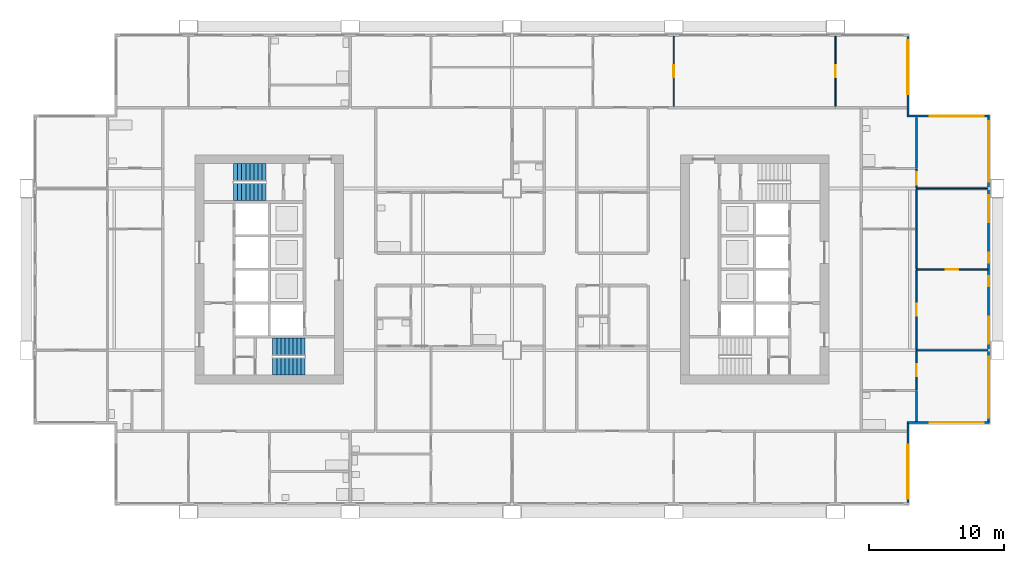
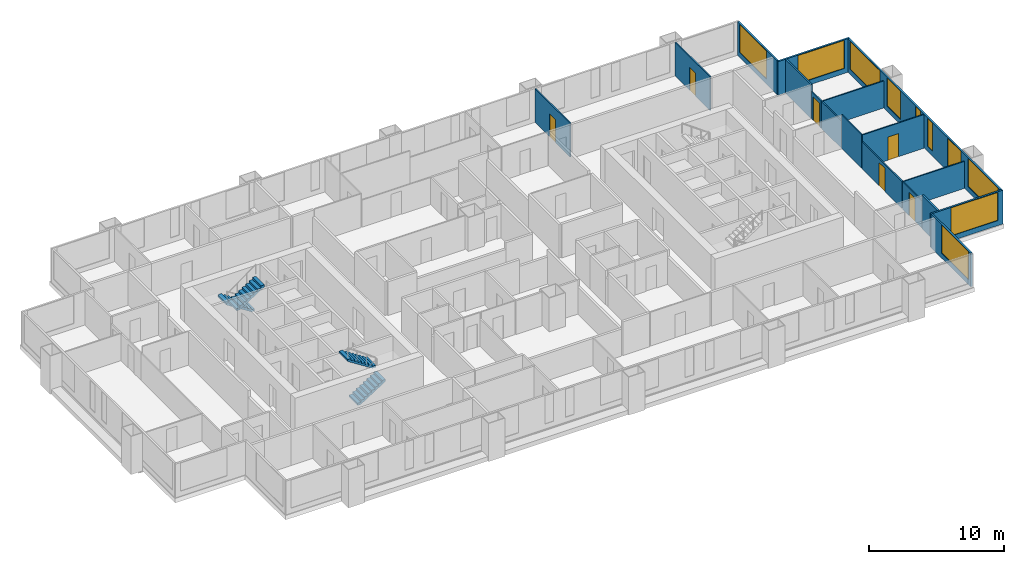
# One storey, part 9 of 13: 17 walls, 10 windows, 6 doors, 4 stair flights, 16 openings, 2 elements without a shape of their own.
"""IFC4 building model written with IfcOpenShell, lengths in metres."""

from ifc_helpers import new_model, si_unit, direction, frame, frame_2d, origin, place, context, subcontext, project, spatial, polyline, rectangle, outline, extrude, material, layer, layer_set, type_object, element, fill, aggregate, save


model = new_model("IFC4")

# Units and contexts
model_context = context("Model", 3, precision=1e-05, world=origin(), true_north=direction((0.0, 1.0)))
body_context = subcontext(model_context, "Body", "Model", "MODEL_VIEW")
ifc_project = project(units=[si_unit("LENGTHUNIT", "METRE"), si_unit("AREAUNIT", "SQUARE_METRE"), si_unit("VOLUMEUNIT", "CUBIC_METRE"), si_unit("PLANEANGLEUNIT", "RADIAN"), si_unit("MASSUNIT", "GRAM", prefix="KILO")], contexts=[model_context])

# Site, building, storey
site_placement = place(None, origin())
site = spatial("IfcSite", under=ifc_project, at=site_placement, CompositionType="ELEMENT")
building_placement = place(site_placement, origin())
building = spatial("IfcBuilding", under=site, at=building_placement, Name="Kitamizu Gate Tower and Museum", CompositionType="ELEMENT")
storey_placement = place(building_placement, frame((0.0, 0.0, 144.89990234375)))
storey = spatial("IfcBuildingStorey", under=building, at=storey_placement, Name="L38", CompositionType="ELEMENT", Elevation=144.89990234375)

# Wall
ifc_material_1 = material(Name="Gypsum board on galvanised stud")
ifc_layer_1 = layer(ifc_material_1, 0.10009765625)
ifc_layer_set_1 = layer_set([ifc_layer_1], Name="Gypsum board on galvanised stud")
wall_type_1 = type_object("IfcWallType", Name="Partition 100 NOT RATED", PredefinedType="PARTITIONING", material=ifc_layer_set_1)
wall_1_placement = place(storey_placement, frame((71.280029296875, 24.0, 0.0), z_axis=(0.0, 0.0, 1.0), x_axis=(-1.0, 0.0, 0.0)))
element("IfcWall", 1, at=wall_1_placement, inside=storey, type_object=wall_type_1, Name="Partition L38-084", PredefinedType="PARTITIONING", context=body_context, shape_type="SweptSolid", body=[
    extrude(rectangle(XDim=5.280029296875, YDim=0.10009765625, at=frame_2d((2.64013671875, 0.0))), origin(), (0.0, 0.0, 1.0), 2.4501953125),
])

# Wall, opening, door
wall_2_placement = place(storey_placement, frame((66.0, 23.949951171875, 0.0), z_axis=(0.0, 0.0, 1.0), x_axis=(0.0, -1.0, 0.0)))
wall_2 = element("IfcWall", 2, at=wall_2_placement, inside=storey, type_object=wall_type_1, Name="Partition L38-086", PredefinedType="PARTITIONING", context=body_context, shape_type="SweptSolid", body=[
    extrude(rectangle(XDim=2.875, YDim=0.10009765625, at=frame_2d((1.4375, 0.0))), origin(), (0.0, 0.0, 1.0), 2.4501953125),
])
opening_1_placement = place(wall_2_placement, frame((0.987548828125, 0.0, 0.0)))
opening_1 = element("IfcOpeningElement", 3, at=opening_1_placement, cuts=wall_2, Name="Opening L38-032", PredefinedType="OPENING", context=body_context, shape_type="SweptSolid", body=[
    extrude(rectangle(XDim=0.89990234375, YDim=2.10009765625, at=frame_2d((0.449951171875, 1.050048828125))), frame((0.0, 0.06005859375, 0.0), z_axis=(0.0, -1.0, 0.0), x_axis=(1.0, 0.0, 0.0)), (0.0, 0.0, 1.0), 0.1201171875),
])
ifc_material_2 = material(Name="Timber door set", Category="wood")
door_type = type_object("IfcDoorType", Name="Room door 900", OperationType="NOTDEFINED", PredefinedType="DOOR", material=ifc_material_2)
door_1_placement = place(opening_1_placement, origin())
door_1 = element("IfcDoor", 4, at=door_1_placement, inside=storey, type_object=door_type, Name="Door L38-032", OperationType="SINGLE_SWING_RIGHT", OverallHeight=2.10009765625, OverallWidth=0.89990234375, PredefinedType="DOOR", context=body_context, shape_type="SweptSolid", body=[
    extrude(rectangle(XDim=0.89990234375, YDim=2.10009765625, at=frame_2d((0.449951171875, 1.050048828125))), frame((0.0, 0.02490234375, 0.0), z_axis=(0.0, -1.0, 0.0), x_axis=(1.0, 0.0, 0.0)), (0.0, 0.0, 1.0), 0.050048828125),
])
fill(opening_1, door_1)

wall_3_placement = place(storey_placement, frame((71.280029296875, 30.0, 0.0), z_axis=(0.0, 0.0, 1.0), x_axis=(-1.0, 0.0, 0.0)))
wall_3 = element("IfcWall", 5, at=wall_3_placement, inside=storey, type_object=wall_type_1, Name="Partition L38-087", PredefinedType="PARTITIONING", context=body_context, shape_type="SweptSolid", body=[
    extrude(rectangle(XDim=5.280029296875, YDim=0.10009765625, at=frame_2d((2.64013671875, 0.0))), origin(), (0.0, 0.0, 1.0), 3.050048828125),
])
opening_2_placement = place(wall_3_placement, frame((2.18994140625, 0.0, 0.0)))
opening_2 = element("IfcOpeningElement", 6, at=opening_2_placement, cuts=wall_3, Name="Opening L38-035", PredefinedType="OPENING", context=body_context, shape_type="SweptSolid", body=[
    extrude(rectangle(XDim=0.89990234375, YDim=2.10009765625, at=frame_2d((0.449951171875, 1.050048828125))), frame((0.0, 0.06005859375, 0.0), z_axis=(0.0, -1.0, 0.0), x_axis=(1.0, 0.0, 0.0)), (0.0, 0.0, 1.0), 0.1201171875),
])
door_2_placement = place(opening_2_placement, origin())
door_2 = element("IfcDoor", 7, at=door_2_placement, inside=storey, type_object=door_type, Name="Door L38-035", OperationType="SINGLE_SWING_LEFT", OverallHeight=2.10009765625, OverallWidth=0.89990234375, PredefinedType="DOOR", context=body_context, shape_type="SweptSolid", body=[
    extrude(rectangle(XDim=0.89990234375, YDim=2.10009765625, at=frame_2d((0.449951171875, 1.050048828125))), frame((0.0, 0.02490234375, 0.0), z_axis=(0.0, -1.0, 0.0), x_axis=(1.0, 0.0, 0.0)), (0.0, 0.0, 1.0), 0.050048828125),
])
fill(opening_2, door_2)

wall_4_placement = place(storey_placement, frame((66.0, 29.949951171875, 0.0), z_axis=(0.0, 0.0, 1.0), x_axis=(0.0, -1.0, 0.0)))
wall_4 = element("IfcWall", 8, at=wall_4_placement, inside=storey, type_object=wall_type_1, Name="Partition L38-088", PredefinedType="PARTITIONING", context=body_context, shape_type="SweptSolid", body=[
    extrude(rectangle(XDim=5.89990234375, YDim=0.10009765625, at=frame_2d((2.949951171875, 0.0))), origin(), (0.0, 0.0, 1.0), 2.4501953125),
])
opening_3_placement = place(wall_4_placement, frame((2.5, 0.0, 0.0)))
opening_3 = element("IfcOpeningElement", 9, at=opening_3_placement, cuts=wall_4, Name="Opening L38-033", PredefinedType="OPENING", context=body_context, shape_type="SweptSolid", body=[
    extrude(rectangle(XDim=0.89990234375, YDim=2.10009765625, at=frame_2d((0.449951171875, 1.050048828125))), frame((0.0, 0.06005859375, 0.0), z_axis=(0.0, -1.0, 0.0), x_axis=(1.0, 0.0, 0.0)), (0.0, 0.0, 1.0), 0.1201171875),
])
door_3_placement = place(opening_3_placement, origin())
door_3 = element("IfcDoor", 10, at=door_3_placement, inside=storey, type_object=door_type, Name="Door L38-033", OperationType="SINGLE_SWING_LEFT", OverallHeight=2.10009765625, OverallWidth=0.89990234375, PredefinedType="DOOR", context=body_context, shape_type="SweptSolid", body=[
    extrude(rectangle(XDim=0.89990234375, YDim=2.10009765625, at=frame_2d((0.449951171875, 1.050048828125))), frame((0.0, 0.02490234375, 0.0), z_axis=(0.0, -1.0, 0.0), x_axis=(1.0, 0.0, 0.0)), (0.0, 0.0, 1.0), 0.050048828125),
])
fill(opening_3, door_3)

# Walls
wall_5_placement = place(storey_placement, frame((71.280029296875, 36.0, 0.0), z_axis=(0.0, 0.0, 1.0), x_axis=(-1.0, 0.0, 0.0)))
element("IfcWall", 11, at=wall_5_placement, inside=storey, type_object=wall_type_1, Name="Partition L38-089", PredefinedType="PARTITIONING", context=body_context, shape_type="SweptSolid", body=[
    extrude(rectangle(XDim=5.280029296875, YDim=0.10009765625, at=frame_2d((2.64013671875, 0.0))), origin(), (0.0, 0.0, 1.0), 2.4501953125),
])
wall_6_placement = place(storey_placement, frame((66.0, 33.0, 0.0), z_axis=(0.0, 0.0, 1.0), x_axis=(0.0, -1.0, 0.0)))
element("IfcWall", 12, at=wall_6_placement, inside=storey, type_object=wall_type_1, Name="Partition L38-090", PredefinedType="PARTITIONING", context=body_context, shape_type="SweptSolid", body=[
    extrude(rectangle(XDim=2.949951171875, YDim=0.10009765625, at=frame_2d((1.47509765625, 0.0))), origin(), (0.0, 0.0, 1.0), 3.050048828125),
])
wall_7_placement = place(storey_placement, frame((66.0, 35.949951171875, 0.0), z_axis=(0.0, 0.0, 1.0), x_axis=(0.0, -1.0, 0.0)))
element("IfcWall", 13, at=wall_7_placement, inside=storey, type_object=wall_type_1, Name="Partition L38-091", PredefinedType="PARTITIONING", context=body_context, shape_type="SweptSolid", body=[
    extrude(rectangle(XDim=2.949951171875, YDim=0.10009765625, at=frame_2d((1.47509765625, 0.0))), origin(), (0.0, 0.0, 1.0), 2.4501953125),
])

# Wall, opening, door
wall_8_placement = place(storey_placement, frame((66.0, 37.425048828125, 0.0), z_axis=(0.0, 0.0, 1.0), x_axis=(0.0, -1.0, 0.0)))
wall_8 = element("IfcWall", 14, at=wall_8_placement, inside=storey, type_object=wall_type_1, Name="Partition L38-092", PredefinedType="PARTITIONING", context=body_context, shape_type="SweptSolid", body=[
    extrude(rectangle(XDim=1.375, YDim=0.10009765625, at=frame_2d((0.6875, 0.0))), origin(), (0.0, 0.0, 1.0), 2.4501953125),
])
opening_4_placement = place(wall_8_placement, frame((0.237548828125, 0.0, 0.0)))
opening_4 = element("IfcOpeningElement", 15, at=opening_4_placement, cuts=wall_8, Name="Opening L38-036", PredefinedType="OPENING", context=body_context, shape_type="SweptSolid", body=[
    extrude(rectangle(XDim=0.89990234375, YDim=2.10009765625, at=frame_2d((0.449951171875, 1.050048828125))), frame((0.0, 0.06005859375, 0.0), z_axis=(0.0, -1.0, 0.0), x_axis=(1.0, 0.0, 0.0)), (0.0, 0.0, 1.0), 0.1201171875),
])
door_4_placement = place(opening_4_placement, origin())
door_4 = element("IfcDoor", 16, at=door_4_placement, inside=storey, type_object=door_type, Name="Door L38-036", OperationType="SINGLE_SWING_LEFT", OverallHeight=2.10009765625, OverallWidth=0.89990234375, PredefinedType="DOOR", context=body_context, shape_type="SweptSolid", body=[
    extrude(rectangle(XDim=0.89990234375, YDim=2.10009765625, at=frame_2d((0.449951171875, 1.050048828125))), frame((0.0, 0.02490234375, 0.0), z_axis=(0.0, -1.0, 0.0), x_axis=(1.0, 0.0, 0.0)), (0.0, 0.0, 1.0), 0.050048828125),
])
fill(opening_4, door_4)

wall_9_placement = place(storey_placement, frame((48.0, 42.10009765625, 0.0), z_axis=(0.0, 0.0, 1.0), x_axis=(0.0, 1.0, 0.0)))
wall_9 = element("IfcWall", 17, at=wall_9_placement, inside=storey, type_object=wall_type_1, Name="Partition L38-125", PredefinedType="PARTITIONING", context=body_context, shape_type="SweptSolid", body=[
    extrude(rectangle(XDim=5.179931640625, YDim=0.10009765625, at=frame_2d((2.58984375, 0.0))), origin(), (0.0, 0.0, 1.0), 3.050048828125),
])
opening_5_placement = place(wall_9_placement, frame((2.139892578125, 0.0, 0.0)))
opening_5 = element("IfcOpeningElement", 18, at=opening_5_placement, cuts=wall_9, Name="Opening L38-043", PredefinedType="OPENING", context=body_context, shape_type="SweptSolid", body=[
    extrude(rectangle(XDim=0.89990234375, YDim=2.10009765625, at=frame_2d((0.449951171875, 1.050048828125))), frame((0.0, 0.06005859375, 0.0), z_axis=(0.0, -1.0, 0.0), x_axis=(1.0, 0.0, 0.0)), (0.0, 0.0, 1.0), 0.1201171875),
])
door_5_placement = place(opening_5_placement, frame((0.89990234375, 0.0, 0.0), x_axis=(-1.0, 0.0, 0.0)))
door_5 = element("IfcDoor", 19, at=door_5_placement, inside=storey, type_object=door_type, Name="Door L38-043", OperationType="SINGLE_SWING_RIGHT", OverallHeight=2.10009765625, OverallWidth=0.89990234375, PredefinedType="DOOR", context=body_context, shape_type="SweptSolid", body=[
    extrude(rectangle(XDim=0.89990234375, YDim=2.10009765625, at=frame_2d((0.449951171875, 1.050048828125))), frame((0.0, 0.02490234375, 0.0), z_axis=(0.0, -1.0, 0.0), x_axis=(1.0, 0.0, 0.0)), (0.0, 0.0, 1.0), 0.050048828125),
])
fill(opening_5, door_5)

wall_10_placement = place(storey_placement, frame((60.0, 42.10009765625, 0.0), z_axis=(0.0, 0.0, 1.0), x_axis=(0.0, 1.0, 0.0)))
wall_10 = element("IfcWall", 20, at=wall_10_placement, inside=storey, type_object=wall_type_1, Name="Partition L38-128", PredefinedType="PARTITIONING", context=body_context, shape_type="SweptSolid", body=[
    extrude(rectangle(XDim=5.179931640625, YDim=0.10009765625, at=frame_2d((2.58984375, 0.0))), origin(), (0.0, 0.0, 1.0), 3.050048828125),
])
opening_6_placement = place(wall_10_placement, frame((2.139892578125, 0.0, 0.0)))
opening_6 = element("IfcOpeningElement", 21, at=opening_6_placement, cuts=wall_10, Name="Opening L38-046", PredefinedType="OPENING", context=body_context, shape_type="SweptSolid", body=[
    extrude(rectangle(XDim=0.89990234375, YDim=2.10009765625, at=frame_2d((0.449951171875, 1.050048828125))), frame((0.0, 0.06005859375, 0.0), z_axis=(0.0, -1.0, 0.0), x_axis=(1.0, 0.0, 0.0)), (0.0, 0.0, 1.0), 0.1201171875),
])
door_6_placement = place(opening_6_placement, frame((0.89990234375, 0.0, 0.0), x_axis=(-1.0, 0.0, 0.0)))
door_6 = element("IfcDoor", 22, at=door_6_placement, inside=storey, type_object=door_type, Name="Door L38-046", OperationType="SINGLE_SWING_LEFT", OverallHeight=2.10009765625, OverallWidth=0.89990234375, PredefinedType="DOOR", context=body_context, shape_type="SweptSolid", body=[
    extrude(rectangle(XDim=0.89990234375, YDim=2.10009765625, at=frame_2d((0.449951171875, 1.050048828125))), frame((0.0, 0.02490234375, 0.0), z_axis=(0.0, -1.0, 0.0), x_axis=(1.0, 0.0, 0.0)), (0.0, 0.0, 1.0), 0.050048828125),
])
fill(opening_6, door_6)

# Walls
ifc_material_3 = material(Name="Gypsum board on galvanised stud")
ifc_layer_2 = layer(ifc_material_3, 0.14990234375)
ifc_layer_set_2 = layer_set([ifc_layer_2], Name="Gypsum board on galvanised stud")
wall_type_2 = type_object("IfcWallType", Name="Partition 150", PredefinedType="PARTITIONING", material=ifc_layer_set_2)
wall_11_placement = place(storey_placement, frame((66.0, 21.0, 0.0), z_axis=(0.0, 0.0, 1.0), x_axis=(0.0, -1.0, 0.0)))
element("IfcWall", 23, at=wall_11_placement, inside=storey, type_object=wall_type_2, Name="Partition L38-085", PredefinedType="PARTITIONING", context=body_context, shape_type="SweptSolid", body=[
    extrude(rectangle(XDim=2.280029296875, YDim=0.14990234375, at=frame_2d((1.14013671875, 0.0))), origin(), (0.0, 0.0, 1.0), 3.050048828125),
])
wall_12_placement = place(storey_placement, frame((66.0, 41.280029296875, 0.0), z_axis=(0.0, 0.0, 1.0), x_axis=(0.0, -1.0, 0.0)))
element("IfcWall", 24, at=wall_12_placement, inside=storey, type_object=wall_type_2, Name="Partition L38-093", PredefinedType="PARTITIONING", context=body_context, shape_type="SweptSolid", body=[
    extrude(rectangle(XDim=3.780029296875, YDim=0.14990234375, at=frame_2d((1.89013671875, 0.0))), origin(), (0.0, 0.0, 1.0), 3.050048828125),
])

# Wall, opening, window
ifc_material_4 = material(Name="Bronze anodised aluminium frame with insulated spandrel and tinted glass", Category="aluminium")
ifc_layer_3 = layer(ifc_material_4, 0.14990234375)
ifc_layer_set_3 = layer_set([ifc_layer_3], Name="Bronze anodised aluminium frame with insulated spandrel and tinted glass")
wall_type_3 = type_object("IfcWallType", Name="WINDOW WALL 150 BRONZE FRAME EI 30", PredefinedType="ELEMENTEDWALL", material=ifc_layer_set_3)
wall_13_placement = place(storey_placement, frame((65.364990234375, 12.7099609375, 0.0), z_axis=(0.0, 0.0, 1.0), x_axis=(0.0, 1.0, 0.0)))
wall_13 = element("IfcWall", 25, at=wall_13_placement, inside=storey, type_object=wall_type_3, Name="Window wall east L38", PredefinedType="ELEMENTEDWALL", context=body_context, shape_type="SweptSolid", body=[
    extrude(rectangle(XDim=5.85009765625, YDim=0.14990234375, at=frame_2d((2.925048828125, 0.0))), origin(), (0.0, 0.0, 1.0), 3.050048828125),
])
opening_7_placement = place(wall_13_placement, frame((0.2900390625, 0.0, 0.449951171875)))
opening_7 = element("IfcOpeningElement", 26, at=opening_7_placement, cuts=wall_13, Name="Opening W16", PredefinedType="OPENING", context=body_context, shape_type="SweptSolid", body=[
    extrude(rectangle(XDim=4.0, YDim=2.550048828125, at=frame_2d((2.0, 1.27490234375))), frame((0.0, 0.0849609375, 0.0), z_axis=(0.0, -1.0, 0.0), x_axis=(1.0, 0.0, 0.0)), (0.0, 0.0, 1.0), 0.169921875),
])
ifc_material_5 = material(Name="Bronze anodised aluminium frame, tinted triple glazing", Category="aluminium")
window_type_1 = type_object("IfcWindowType", Name="WINDOW 4000 x 2550 SILL 450", PartitioningType="SINGLE_PANEL", PredefinedType="WINDOW", material=ifc_material_5)
window_1_placement = place(opening_7_placement, origin())
window_1 = element("IfcWindow", 27, at=window_1_placement, inside=storey, type_object=window_type_1, Name="Window W16 L38", OverallHeight=2.550048828125, OverallWidth=4.0, PartitioningType="SINGLE_PANEL", PredefinedType="WINDOW", context=body_context, shape_type="SweptSolid", body=[
    extrude(rectangle(XDim=4.0, YDim=2.550048828125, at=frame_2d((2.0, 1.27490234375))), frame((0.0, 0.030029296875, 0.0), z_axis=(0.0, -1.0, 0.0), x_axis=(1.0, 0.0, 0.0)), (0.0, 0.0, 1.0), 0.06005859375),
])
fill(opening_7, window_1)

wall_14_placement = place(storey_placement, frame((65.2900390625, 18.635009765625, 0.0), z_axis=(0.0, 0.0, 1.0), x_axis=(1.0, 0.0, 0.0)))
wall_14 = element("IfcWall", 28, at=wall_14_placement, inside=storey, type_object=wall_type_3, Name="Window wall south L38", PredefinedType="ELEMENTEDWALL", context=body_context, shape_type="SweptSolid", body=[
    extrude(rectangle(XDim=6.14990234375, YDim=0.14990234375, at=frame_2d((3.074951171875, 0.0))), origin(), (0.0, 0.0, 1.0), 3.050048828125),
])
opening_8_placement = place(wall_14_placement, frame((1.7099609375, 0.0, 0.449951171875)))
opening_8 = element("IfcOpeningElement", 29, at=opening_8_placement, cuts=wall_14, Name="Opening W16", PredefinedType="OPENING", context=body_context, shape_type="SweptSolid", body=[
    extrude(rectangle(XDim=4.0, YDim=2.550048828125, at=frame_2d((2.0, 1.27490234375))), frame((0.0, 0.0849609375, 0.0), z_axis=(0.0, -1.0, 0.0), x_axis=(1.0, 0.0, 0.0)), (0.0, 0.0, 1.0), 0.169921875),
])
window_2_placement = place(opening_8_placement, origin())
window_2 = element("IfcWindow", 30, at=window_2_placement, inside=storey, type_object=window_type_1, Name="Window W16 L38", OverallHeight=2.550048828125, OverallWidth=4.0, PartitioningType="SINGLE_PANEL", PredefinedType="WINDOW", context=body_context, shape_type="SweptSolid", body=[
    extrude(rectangle(XDim=4.0, YDim=2.550048828125, at=frame_2d((2.0, 1.27490234375))), frame((0.0, 0.030029296875, 0.0), z_axis=(0.0, -1.0, 0.0), x_axis=(1.0, 0.0, 0.0)), (0.0, 0.0, 1.0), 0.06005859375),
])
fill(opening_8, window_2)

# Wall, openings, windows
wall_15_placement = place(storey_placement, frame((71.364990234375, 18.7099609375, 0.0), z_axis=(0.0, 0.0, 1.0), x_axis=(0.0, 1.0, 0.0)))
wall_15 = element("IfcWall", 31, at=wall_15_placement, inside=storey, type_object=wall_type_3, Name="Window wall east L38", PredefinedType="ELEMENTEDWALL", context=body_context, shape_type="SweptSolid", body=[
    extrude(rectangle(XDim=22.580078125, YDim=0.14990234375, at=frame_2d((11.2900390625, 0.0))), origin(), (0.0, 0.0, 1.0), 3.050048828125),
])
opening_9_placement = place(wall_15_placement, frame((0.2900390625, 0.0, 0.449951171875)))
opening_9 = element("IfcOpeningElement", 32, at=opening_9_placement, cuts=wall_15, Name="Opening W15", PredefinedType="OPENING", context=body_context, shape_type="SweptSolid", body=[
    extrude(rectangle(XDim=4.5, YDim=2.550048828125, at=frame_2d((2.25, 1.27490234375))), frame((0.0, 0.0849609375, 0.0), z_axis=(0.0, -1.0, 0.0), x_axis=(1.0, 0.0, 0.0)), (0.0, 0.0, 1.0), 0.169921875),
])
opening_10_placement = place(wall_15_placement, frame((5.7900390625, 0.0, 0.449951171875)))
opening_10 = element("IfcOpeningElement", 33, at=opening_10_placement, cuts=wall_15, Name="Opening W2", PredefinedType="OPENING", context=body_context, shape_type="SweptSolid", body=[
    extrude(rectangle(XDim=2.0, YDim=2.550048828125, at=frame_2d((1.0, 1.27490234375))), frame((0.0, 0.0849609375, 0.0), z_axis=(0.0, -1.0, 0.0), x_axis=(1.0, 0.0, 0.0)), (0.0, 0.0, 1.0), 0.169921875),
])
opening_11_placement = place(wall_15_placement, frame((10.0400390625, 0.0, 0.449951171875)))
opening_11 = element("IfcOpeningElement", 34, at=opening_11_placement, cuts=wall_15, Name="Opening W25", PredefinedType="OPENING", context=body_context, shape_type="SweptSolid", body=[
    extrude(rectangle(XDim=0.75, YDim=2.550048828125, at=frame_2d((0.375, 1.27490234375))), frame((0.0, 0.0849609375, 0.0), z_axis=(0.0, -1.0, 0.0), x_axis=(1.0, 0.0, 0.0)), (0.0, 0.0, 1.0), 0.169921875),
])
opening_12_placement = place(wall_15_placement, frame((11.7900390625, 0.0, 0.449951171875)))
opening_12 = element("IfcOpeningElement", 35, at=opening_12_placement, cuts=wall_15, Name="Opening W25", PredefinedType="OPENING", context=body_context, shape_type="SweptSolid", body=[
    extrude(rectangle(XDim=0.75, YDim=2.550048828125, at=frame_2d((0.375, 1.27490234375))), frame((0.0, 0.0849609375, 0.0), z_axis=(0.0, -1.0, 0.0), x_axis=(1.0, 0.0, 0.0)), (0.0, 0.0, 1.0), 0.169921875),
])
opening_13_placement = place(wall_15_placement, frame((14.7900390625, 0.0, 0.449951171875)))
opening_13 = element("IfcOpeningElement", 36, at=opening_13_placement, cuts=wall_15, Name="Opening W2", PredefinedType="OPENING", context=body_context, shape_type="SweptSolid", body=[
    extrude(rectangle(XDim=2.0, YDim=2.550048828125, at=frame_2d((1.0, 1.27490234375))), frame((0.0, 0.0849609375, 0.0), z_axis=(0.0, -1.0, 0.0), x_axis=(1.0, 0.0, 0.0)), (0.0, 0.0, 1.0), 0.169921875),
])
opening_14_placement = place(wall_15_placement, frame((17.7900390625, 0.0, 0.449951171875)))
opening_14 = element("IfcOpeningElement", 37, at=opening_14_placement, cuts=wall_15, Name="Opening W15", PredefinedType="OPENING", context=body_context, shape_type="SweptSolid", body=[
    extrude(rectangle(XDim=4.5, YDim=2.550048828125, at=frame_2d((2.25, 1.27490234375))), frame((0.0, 0.0849609375, 0.0), z_axis=(0.0, -1.0, 0.0), x_axis=(1.0, 0.0, 0.0)), (0.0, 0.0, 1.0), 0.169921875),
])
ifc_material_6 = material(Name="Bronze anodised aluminium frame, tinted triple glazing", Category="aluminium")
window_type_2 = type_object("IfcWindowType", Name="WINDOW 2000 x 2550 SILL 450", PartitioningType="SINGLE_PANEL", PredefinedType="WINDOW", material=ifc_material_6)
window_3_placement = place(opening_10_placement, origin())
window_3 = element("IfcWindow", 38, at=window_3_placement, inside=storey, type_object=window_type_2, Name="Window W2 L38", OverallHeight=2.550048828125, OverallWidth=2.0, PartitioningType="SINGLE_PANEL", PredefinedType="WINDOW", context=body_context, shape_type="SweptSolid", body=[
    extrude(rectangle(XDim=2.0, YDim=2.550048828125, at=frame_2d((1.0, 1.27490234375))), frame((0.0, 0.030029296875, 0.0), z_axis=(0.0, -1.0, 0.0), x_axis=(1.0, 0.0, 0.0)), (0.0, 0.0, 1.0), 0.06005859375),
])
fill(opening_10, window_3)
window_4_placement = place(opening_13_placement, origin())
window_4 = element("IfcWindow", 39, at=window_4_placement, inside=storey, type_object=window_type_2, Name="Window W2 L38", OverallHeight=2.550048828125, OverallWidth=2.0, PartitioningType="SINGLE_PANEL", PredefinedType="WINDOW", context=body_context, shape_type="SweptSolid", body=[
    extrude(rectangle(XDim=2.0, YDim=2.550048828125, at=frame_2d((1.0, 1.27490234375))), frame((0.0, 0.030029296875, 0.0), z_axis=(0.0, -1.0, 0.0), x_axis=(1.0, 0.0, 0.0)), (0.0, 0.0, 1.0), 0.06005859375),
])
fill(opening_13, window_4)
ifc_material_7 = material(Name="Bronze anodised aluminium frame, tinted triple glazing", Category="aluminium")
window_type_3 = type_object("IfcWindowType", Name="WINDOW 4500 x 2550 SILL 450", PartitioningType="SINGLE_PANEL", PredefinedType="WINDOW", material=ifc_material_7)
window_5_placement = place(opening_9_placement, origin())
window_5 = element("IfcWindow", 40, at=window_5_placement, inside=storey, type_object=window_type_3, Name="Window W15 L38", OverallHeight=2.550048828125, OverallWidth=4.5, PartitioningType="SINGLE_PANEL", PredefinedType="WINDOW", context=body_context, shape_type="SweptSolid", body=[
    extrude(rectangle(XDim=4.5, YDim=2.550048828125, at=frame_2d((2.25, 1.27490234375))), frame((0.0, 0.030029296875, 0.0), z_axis=(0.0, -1.0, 0.0), x_axis=(1.0, 0.0, 0.0)), (0.0, 0.0, 1.0), 0.06005859375),
])
fill(opening_9, window_5)
window_6_placement = place(opening_14_placement, origin())
window_6 = element("IfcWindow", 41, at=window_6_placement, inside=storey, type_object=window_type_3, Name="Window W15 L38", OverallHeight=2.550048828125, OverallWidth=4.5, PartitioningType="SINGLE_PANEL", PredefinedType="WINDOW", context=body_context, shape_type="SweptSolid", body=[
    extrude(rectangle(XDim=4.5, YDim=2.550048828125, at=frame_2d((2.25, 1.27490234375))), frame((0.0, 0.030029296875, 0.0), z_axis=(0.0, -1.0, 0.0), x_axis=(1.0, 0.0, 0.0)), (0.0, 0.0, 1.0), 0.06005859375),
])
fill(opening_14, window_6)
ifc_material_8 = material(Name="Bronze anodised aluminium frame, tinted triple glazing", Category="aluminium")
window_type_4 = type_object("IfcWindowType", Name="WINDOW 750 x 2550 SILL 450", PartitioningType="SINGLE_PANEL", PredefinedType="WINDOW", material=ifc_material_8)
window_7_placement = place(opening_11_placement, origin())
window_7 = element("IfcWindow", 42, at=window_7_placement, inside=storey, type_object=window_type_4, Name="Window W25 L38", OverallHeight=2.550048828125, OverallWidth=0.75, PartitioningType="SINGLE_PANEL", PredefinedType="WINDOW", context=body_context, shape_type="SweptSolid", body=[
    extrude(rectangle(XDim=0.75, YDim=2.550048828125, at=frame_2d((0.375, 1.27490234375))), frame((0.0, 0.030029296875, 0.0), z_axis=(0.0, -1.0, 0.0), x_axis=(1.0, 0.0, 0.0)), (0.0, 0.0, 1.0), 0.06005859375),
])
fill(opening_11, window_7)
window_8_placement = place(opening_12_placement, origin())
window_8 = element("IfcWindow", 43, at=window_8_placement, inside=storey, type_object=window_type_4, Name="Window W25 L38", OverallHeight=2.550048828125, OverallWidth=0.75, PartitioningType="SINGLE_PANEL", PredefinedType="WINDOW", context=body_context, shape_type="SweptSolid", body=[
    extrude(rectangle(XDim=0.75, YDim=2.550048828125, at=frame_2d((0.375, 1.27490234375))), frame((0.0, 0.030029296875, 0.0), z_axis=(0.0, -1.0, 0.0), x_axis=(1.0, 0.0, 0.0)), (0.0, 0.0, 1.0), 0.06005859375),
])
fill(opening_12, window_8)

# Wall, opening, window
wall_16_placement = place(storey_placement, frame((65.2900390625, 41.364990234375, 0.0), z_axis=(0.0, 0.0, 1.0), x_axis=(1.0, 0.0, 0.0)))
wall_16 = element("IfcWall", 44, at=wall_16_placement, inside=storey, type_object=wall_type_3, Name="Window wall north L38", PredefinedType="ELEMENTEDWALL", context=body_context, shape_type="SweptSolid", body=[
    extrude(rectangle(XDim=6.14990234375, YDim=0.14990234375, at=frame_2d((3.074951171875, 0.0))), origin(), (0.0, 0.0, 1.0), 3.050048828125),
])
opening_15_placement = place(wall_16_placement, frame((1.7099609375, 0.0, 0.449951171875)))
opening_15 = element("IfcOpeningElement", 45, at=opening_15_placement, cuts=wall_16, Name="Opening W16", PredefinedType="OPENING", context=body_context, shape_type="SweptSolid", body=[
    extrude(rectangle(XDim=4.0, YDim=2.550048828125, at=frame_2d((2.0, 1.27490234375))), frame((0.0, 0.0849609375, 0.0), z_axis=(0.0, -1.0, 0.0), x_axis=(1.0, 0.0, 0.0)), (0.0, 0.0, 1.0), 0.169921875),
])
window_9_placement = place(opening_15_placement, origin())
window_9 = element("IfcWindow", 46, at=window_9_placement, inside=storey, type_object=window_type_1, Name="Window W16 L38", OverallHeight=2.550048828125, OverallWidth=4.0, PartitioningType="SINGLE_PANEL", PredefinedType="WINDOW", context=body_context, shape_type="SweptSolid", body=[
    extrude(rectangle(XDim=4.0, YDim=2.550048828125, at=frame_2d((2.0, 1.27490234375))), frame((0.0, 0.030029296875, 0.0), z_axis=(0.0, -1.0, 0.0), x_axis=(1.0, 0.0, 0.0)), (0.0, 0.0, 1.0), 0.06005859375),
])
fill(opening_15, window_9)

wall_17_placement = place(storey_placement, frame((65.364990234375, 41.43994140625, 0.0), z_axis=(0.0, 0.0, 1.0), x_axis=(0.0, 1.0, 0.0)))
wall_17 = element("IfcWall", 47, at=wall_17_placement, inside=storey, type_object=wall_type_3, Name="Window wall east L38", PredefinedType="ELEMENTEDWALL", context=body_context, shape_type="SweptSolid", body=[
    extrude(rectangle(XDim=5.85009765625, YDim=0.14990234375, at=frame_2d((2.925048828125, 0.0))), origin(), (0.0, 0.0, 1.0), 3.050048828125),
])
opening_16_placement = place(wall_17_placement, frame((1.56005859375, 0.0, 0.449951171875)))
opening_16 = element("IfcOpeningElement", 48, at=opening_16_placement, cuts=wall_17, Name="Opening W16", PredefinedType="OPENING", context=body_context, shape_type="SweptSolid", body=[
    extrude(rectangle(XDim=4.0, YDim=2.550048828125, at=frame_2d((2.0, 1.27490234375))), frame((0.0, 0.0849609375, 0.0), z_axis=(0.0, -1.0, 0.0), x_axis=(1.0, 0.0, 0.0)), (0.0, 0.0, 1.0), 0.169921875),
])
window_10_placement = place(opening_16_placement, origin())
window_10 = element("IfcWindow", 49, at=window_10_placement, inside=storey, type_object=window_type_1, Name="Window W16 L38", OverallHeight=2.550048828125, OverallWidth=4.0, PartitioningType="SINGLE_PANEL", PredefinedType="WINDOW", context=body_context, shape_type="SweptSolid", body=[
    extrude(rectangle(XDim=4.0, YDim=2.550048828125, at=frame_2d((2.0, 1.27490234375))), frame((0.0, 0.030029296875, 0.0), z_axis=(0.0, -1.0, 0.0), x_axis=(1.0, 0.0, 0.0)), (0.0, 0.0, 1.0), 0.06005859375),
])
fill(opening_16, window_10)

# Stair, stair flights
ifc_material_9 = material(Name="Concrete Fc42", Category="concrete")
stair_type = type_object("IfcStairType", Name="Exit stair 1275 wide 192 rise 300 going", PredefinedType="HALF_TURN_STAIR", material=ifc_material_9)
stair_1_placement = place(storey_placement, origin())
stair_1 = element("IfcStair", 50, at=stair_1_placement, inside=storey, type_object=stair_type, Name="Exit stair ST1", PredefinedType="HALF_TURN_STAIR")
ifc_material_10 = material(Name="Concrete Fc42", Category="concrete")
stair_flight_type = type_object("IfcStairFlightType", Name="Stair flight 1275 wide 192 rise 300 going", PredefinedType="STRAIGHT", material=ifc_material_10)
stair_flight_1_placement = place(storey_placement, frame((18.25, 22.78759765625, 0.0), z_axis=(0.0, 0.0, 1.0), x_axis=(1.0, 0.0, 0.0)))
stair_flight_1 = element("IfcStairFlight", 51, at=stair_flight_1_placement, type_object=stair_flight_type, Name="ST1 flight 1", NumberOfRisers=9, NumberOfTreads=8, PredefinedType="STRAIGHT", RiserHeight=0.191666667, TreadLength=0.3, context=body_context, shape_type="SweptSolid", body=[
    extrude(outline(polyline([(0.0, 0.0), (0.0, 0.191650390625), (0.300048828125, 0.191650390625), (0.300048828125, 0.38330078125), (0.60009765625, 0.38330078125), (0.60009765625, 0.574951171875), (0.89990234375, 0.574951171875), (0.89990234375, 0.7666015625), (1.199951171875, 0.7666015625), (1.199951171875, 0.958251953125), (1.5, 0.958251953125), (1.5, 1.14990234375), (1.800048828125, 1.14990234375), (1.800048828125, 1.341552734375), (2.10009765625, 1.341552734375), (2.10009765625, 1.533447265625), (2.39990234375, 1.533447265625), (2.39990234375, 1.72509765625), (2.39990234375, 1.35546875), (0.2783203125, 0.0), (0.0, 0.0)])), frame((0.0, 0.637451171875, 0.0), z_axis=(0.0, -1.0, 0.0), x_axis=(1.0, 0.0, 0.0)), (0.0, 0.0, 1.0), 1.27490234375),
])
stair_flight_2_placement = place(storey_placement, frame((20.64990234375, 24.262451171875, 1.72509765625), z_axis=(0.0, 0.0, 1.0), x_axis=(-1.0, 0.0, 0.0)))
stair_flight_2 = element("IfcStairFlight", 52, at=stair_flight_2_placement, type_object=stair_flight_type, Name="ST1 flight 2", NumberOfRisers=9, NumberOfTreads=8, PredefinedType="STRAIGHT", RiserHeight=0.191666667, TreadLength=0.3, context=body_context, shape_type="SweptSolid", body=[
    extrude(outline(polyline([(0.0, 0.0), (0.0, 0.191650390625), (0.300048828125, 0.191650390625), (0.300048828125, 0.38330078125), (0.60009765625, 0.38330078125), (0.60009765625, 0.574951171875), (0.89990234375, 0.574951171875), (0.89990234375, 0.7666015625), (1.199951171875, 0.7666015625), (1.199951171875, 0.958251953125), (1.5, 0.958251953125), (1.5, 1.14990234375), (1.800048828125, 1.14990234375), (1.800048828125, 1.341552734375), (2.10009765625, 1.341552734375), (2.10009765625, 1.533447265625), (2.39990234375, 1.533447265625), (2.39990234375, 1.72509765625), (2.39990234375, 1.35546875), (0.2783203125, 0.0), (0.0, 0.0)])), frame((0.0, 0.637451171875, 0.0), z_axis=(0.0, -1.0, 0.0), x_axis=(1.0, 0.0, 0.0)), (0.0, 0.0, 1.0), 1.27490234375),
])
aggregate(stair_1, [stair_flight_1, stair_flight_2])

stair_2_placement = place(storey_placement, origin())
stair_2 = element("IfcStair", 53, at=stair_2_placement, inside=storey, type_object=stair_type, Name="Exit stair ST2", PredefinedType="HALF_TURN_STAIR")
stair_flight_3_placement = place(storey_placement, frame((17.75, 37.21240234375, 0.0), z_axis=(0.0, 0.0, 1.0), x_axis=(-1.0, 0.0, 0.0)))
stair_flight_3 = element("IfcStairFlight", 54, at=stair_flight_3_placement, type_object=stair_flight_type, Name="ST2 flight 1", NumberOfRisers=9, NumberOfTreads=8, PredefinedType="STRAIGHT", RiserHeight=0.191666667, TreadLength=0.3, context=body_context, shape_type="SweptSolid", body=[
    extrude(outline(polyline([(0.0, 0.0), (0.0, 0.191650390625), (0.300048828125, 0.191650390625), (0.300048828125, 0.38330078125), (0.60009765625, 0.38330078125), (0.60009765625, 0.574951171875), (0.89990234375, 0.574951171875), (0.89990234375, 0.7666015625), (1.199951171875, 0.7666015625), (1.199951171875, 0.958251953125), (1.5, 0.958251953125), (1.5, 1.14990234375), (1.800048828125, 1.14990234375), (1.800048828125, 1.341552734375), (2.10009765625, 1.341552734375), (2.10009765625, 1.533447265625), (2.39990234375, 1.533447265625), (2.39990234375, 1.72509765625), (2.39990234375, 1.35546875), (0.2783203125, 0.0), (0.0, 0.0)])), frame((0.0, 0.637451171875, 0.0), z_axis=(0.0, -1.0, 0.0), x_axis=(1.0, 0.0, 0.0)), (0.0, 0.0, 1.0), 1.27490234375),
])
stair_flight_4_placement = place(storey_placement, frame((15.35009765625, 35.737548828125, 1.72509765625), z_axis=(0.0, 0.0, 1.0), x_axis=(1.0, 0.0, 0.0)))
stair_flight_4 = element("IfcStairFlight", 55, at=stair_flight_4_placement, type_object=stair_flight_type, Name="ST2 flight 2", NumberOfRisers=9, NumberOfTreads=8, PredefinedType="STRAIGHT", RiserHeight=0.191666667, TreadLength=0.3, context=body_context, shape_type="SweptSolid", body=[
    extrude(outline(polyline([(0.0, 0.0), (0.0, 0.191650390625), (0.300048828125, 0.191650390625), (0.300048828125, 0.38330078125), (0.60009765625, 0.38330078125), (0.60009765625, 0.574951171875), (0.89990234375, 0.574951171875), (0.89990234375, 0.7666015625), (1.199951171875, 0.7666015625), (1.199951171875, 0.958251953125), (1.5, 0.958251953125), (1.5, 1.14990234375), (1.800048828125, 1.14990234375), (1.800048828125, 1.341552734375), (2.10009765625, 1.341552734375), (2.10009765625, 1.533447265625), (2.39990234375, 1.533447265625), (2.39990234375, 1.72509765625), (2.39990234375, 1.35546875), (0.2783203125, 0.0), (0.0, 0.0)])), frame((0.0, 0.637451171875, 0.0), z_axis=(0.0, -1.0, 0.0), x_axis=(1.0, 0.0, 0.0)), (0.0, 0.0, 1.0), 1.27490234375),
])
aggregate(stair_2, [stair_flight_3, stair_flight_4])

save(model, "model.ifc")
